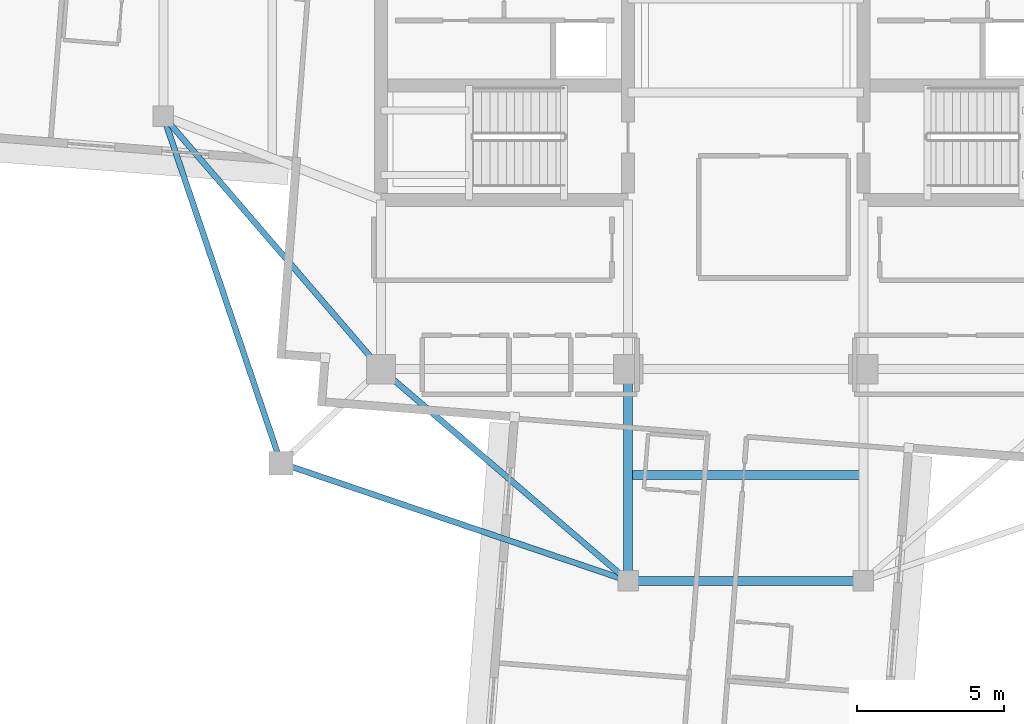
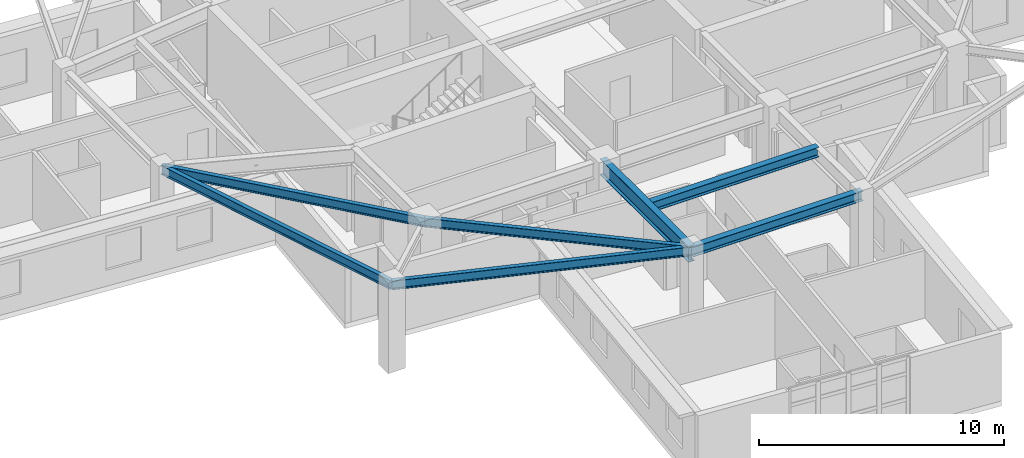
# One storey, part 3 of 23: 7 beams.
"""IFC4 building model written with IfcOpenShell, lengths in metres."""

import ifcopenshell
import ifcopenshell.guid

model = None  # the IFC model being written
_history = None  # IfcOwnerHistory: only IFC2X3 demands one
_inside = {}  # id of a spatial element -> (the spatial element, [elements in it])
_under = {}  # id of a project, library or spatial element -> (it, [spatial elements below it])
_declared = {}  # id of a project -> (the project, [libraries it declares])
_typed = {}  # id of a type object -> (the type object, [elements of that type])
_made_of = {}  # id of a material, layer set ... -> (it, [elements and type objects made of it])


def new_model(schema):
    """Start an empty IFC model of exactly this schema.

    Asked for "IFC4X3", IfcOpenShell would pick the latest addendum, in which some entities
    have other attributes; the version numbers below select the first issue.
    IFC2X3 requires an IfcOwnerHistory on every rooted entity: one is made here for all.
    """
    global model, _history
    if schema == "IFC4X3":
        model = ifcopenshell.file(schema_version=(4, 3, 0, 0))
    else:
        model = ifcopenshell.file(schema=schema)
    _inside.clear()
    _under.clear()
    _declared.clear()
    _typed.clear()
    _made_of.clear()
    _history = None
    if model.schema == "IFC2X3":
        org = make("IfcOrganization", Name="unknown")
        user = make(
            "IfcPersonAndOrganization",
            ThePerson=make("IfcPerson", FamilyName="unknown"),
            TheOrganization=org,
        )
        app = make(
            "IfcApplication",
            ApplicationDeveloper=org,
            Version="unknown",
            ApplicationFullName="unknown",
            ApplicationIdentifier="unknown",
        )
        _history = make(
            "IfcOwnerHistory",
            OwningUser=user,
            OwningApplication=app,
            ChangeAction="ADDED",
            CreationDate=0,
        )
    return model


def make(cls, **values):
    """One entity of the class cls with the attributes given. An attribute that is None is left unset."""
    return model.create_entity(
        cls, **{name: value for name, value in values.items() if value is not None}
    )


def rooted(cls, **values):
    """An entity with a GlobalId (a new one), such as an element, a storey or a relation."""
    return make(cls, GlobalId=ifcopenshell.guid.new(), OwnerHistory=_history, **values)


def si_unit(unit_type, name, prefix=None):
    """IfcSIUnit, for example si_unit("LENGTHUNIT", "METRE", prefix="MILLI")."""
    return make("IfcSIUnit", UnitType=unit_type, Prefix=prefix, Name=name)


def assignment(units):
    """IfcUnitAssignment: the units of a project."""
    return None if units is None else make("IfcUnitAssignment", Units=units)


def point(xyz):
    """IfcCartesianPoint."""
    return None if xyz is None else make("IfcCartesianPoint", Coordinates=xyz)


def direction(xyz):
    """IfcDirection."""
    return None if xyz is None else make("IfcDirection", DirectionRatios=xyz)


def frame(location, z_axis=None, x_axis=None):
    """IfcAxis2Placement3D, a coordinate frame: its origin and axes. An axis left out is left unset."""
    return make(
        "IfcAxis2Placement3D",
        Location=point(location),
        Axis=direction(z_axis),
        RefDirection=direction(x_axis),
    )


def frame_2d(location, x_axis=None):
    """IfcAxis2Placement2D, a coordinate frame in the plane: its origin and x axis."""
    return make(
        "IfcAxis2Placement2D", Location=point(location), RefDirection=direction(x_axis)
    )


def origin():
    """The frame at (0, 0, 0) with its axes left unset."""
    return frame((0.0, 0.0, 0.0))


def origin_2d():
    """The frame at (0, 0) in the plane with its x axis left unset."""
    return frame_2d((0.0, 0.0))


def place(relative_to, where):
    """IfcLocalPlacement: puts the frame where relative to a parent placement (None: the world)."""
    return make(
        "IfcLocalPlacement", PlacementRelTo=relative_to, RelativePlacement=where
    )


def context(
    kind, dimensions, precision=None, world=None, true_north=None, identifier=None
):
    """IfcGeometricRepresentationContext, for example the 3D "Model" context."""
    return make(
        "IfcGeometricRepresentationContext",
        ContextIdentifier=identifier,
        ContextType=kind,
        CoordinateSpaceDimension=dimensions,
        Precision=precision,
        WorldCoordinateSystem=world,
        TrueNorth=true_north,
    )


def subcontext(parent, identifier, kind, view, scale=None):
    """IfcGeometricRepresentationSubContext, for example "Body" below "Model"."""
    return make(
        "IfcGeometricRepresentationSubContext",
        ContextIdentifier=identifier,
        ContextType=kind,
        ParentContext=parent,
        TargetScale=scale,
        TargetView=view,
    )


def project(units=None, contexts=None):
    """IfcProject with its units and contexts."""
    return rooted(
        "IfcProject",
        Name="project",
        RepresentationContexts=contexts,
        UnitsInContext=assignment(units),
    )


def spatial(cls, under=None, at=None, **own):
    """A site, building, storey or space (cls), placed at a placement, below another one or the project."""
    s = rooted(cls, ObjectPlacement=at, **own)
    if under is not None:
        _under.setdefault(under.id(), (under, []))[1].append(s)
    return s


def profile(cls, at=None, kind="AREA", **sizes):
    """A parametric profile (cls). Its sizes go by their IFC names, for example OverallWidth=200.0."""
    return make(cls, ProfileType=kind, Position=at, **sizes)


def i_section(**sizes):
    """IfcIShapeProfileDef."""
    return profile("IfcIShapeProfileDef", **sizes)


def extrude(swept, where, along, depth):
    """IfcExtrudedAreaSolid: the profile swept, set in the frame where, extruded along a direction by depth."""
    return make(
        "IfcExtrudedAreaSolid",
        SweptArea=swept,
        Position=where,
        ExtrudedDirection=direction(along),
        Depth=depth,
    )


def shape(context_of_items, identifier, shape_type, items):
    """IfcShapeRepresentation: the items that make up one representation, for example the "Body"."""
    return make(
        "IfcShapeRepresentation",
        ContextOfItems=context_of_items,
        RepresentationIdentifier=identifier,
        RepresentationType=shape_type,
        Items=items,
    )


def material(Name=None, Category=None):
    """IfcMaterial."""
    return make("IfcMaterial", Name=Name, Category=Category)


def material_profile(
    of_material, cross_section, Name=None, Category=None, Priority=None
):
    """IfcMaterialProfile: a cross section and its material."""
    return make(
        "IfcMaterialProfile",
        Name=Name,
        Material=of_material,
        Profile=cross_section,
        Priority=Priority,
        Category=Category,
    )


def profile_set(profiles, Name=None, composite=None):
    """IfcMaterialProfileSet."""
    return make(
        "IfcMaterialProfileSet",
        Name=Name,
        MaterialProfiles=profiles,
        CompositeProfile=composite,
    )


def made_of(thing, what):
    """Note that an element or type object is made of a material, layer set ...; save() writes the relation."""
    if what is not None:
        _made_of.setdefault(what.id(), (what, []))[1].append(thing)
    return thing


def type_object(cls, material=None, **own):
    """A type object (cls), such as IfcWallType, which elements share."""
    return made_of(rooted(cls, **own), material)


def element(
    cls,
    number,
    at=None,
    inside=None,
    cuts=None,
    type_object=None,
    material=None,
    context=None,
    identifier="Body",
    shape_type=None,
    held_by="IfcProductDefinitionShape",
    body=None,
    shapes=None,
    **own,
):
    """One element of the class cls, such as IfcWall. Its Tag is "e" and its number.

    at: its placement. inside: the storey or other place that contains it. cuts: it is an
    opening in that element (IfcRelVoidsElement). A single representation is given by context,
    identifier, shape_type and body (its items); several are given by shapes. held_by: the class
    of the entity that holds the representations. save() writes the other relations.
    """
    e = rooted(cls, Tag="e%d" % number, ObjectPlacement=at, **own)
    if body is not None:
        shapes = [shape(context, identifier, shape_type, body)]
    if shapes is not None:
        e.Representation = make(held_by, Representations=shapes)
    if inside is not None:
        _inside.setdefault(inside.id(), (inside, []))[1].append(e)
    if cuts is not None:
        rooted(
            "IfcRelVoidsElement", RelatingBuildingElement=cuts, RelatedOpeningElement=e
        )
    if type_object is not None:
        _typed.setdefault(type_object.id(), (type_object, []))[1].append(e)
    return made_of(e, material)


def aggregate(whole, parts):
    """IfcRelAggregates: a whole, such as a stair, and the parts it consists of."""
    return rooted("IfcRelAggregates", RelatingObject=whole, RelatedObjects=parts)


def save(model, path):
    """Write the relations noted so far, then the file.

    IfcRelAggregates (storeys below a building ...), IfcRelContainedInSpatialStructure (elements
    in a storey), IfcRelDefinesByType, IfcRelAssociatesMaterial and IfcRelDeclares: one each for
    every whole, place, type object, material and project.
    """
    for whole, parts in _under.values():
        aggregate(whole, parts)
    for where, things in _inside.values():
        rooted(
            "IfcRelContainedInSpatialStructure",
            RelatedElements=things,
            RelatingStructure=where,
        )
    for kind, things in _typed.values():
        rooted("IfcRelDefinesByType", RelatedObjects=things, RelatingType=kind)
    for what, things in _made_of.values():
        rooted("IfcRelAssociatesMaterial", RelatedObjects=things, RelatingMaterial=what)
    for by, libraries in _declared.values():
        rooted("IfcRelDeclares", RelatingContext=by, RelatedDefinitions=libraries)
    model.write(path)


model = new_model("IFC4")

# Units and contexts
model_context = context("Model", 3, precision=1e-05, world=origin(), true_north=direction((0.0, 1.0)))
body_context = subcontext(model_context, "Body", "Model", "MODEL_VIEW")
ifc_project = project(units=[si_unit("LENGTHUNIT", "METRE"), si_unit("AREAUNIT", "SQUARE_METRE"), si_unit("VOLUMEUNIT", "CUBIC_METRE"), si_unit("PLANEANGLEUNIT", "RADIAN"), si_unit("MASSUNIT", "GRAM", prefix="KILO")], contexts=[model_context])

# Site, building, storey
site_placement = place(None, origin())
site = spatial("IfcSite", under=ifc_project, at=site_placement, CompositionType="ELEMENT")
building_placement = place(site_placement, origin())
building = spatial("IfcBuilding", under=site, at=building_placement, Name="Qingluan Cross Belvedere", CompositionType="ELEMENT")
storey_placement = place(building_placement, frame((0.0, 0.0, 245.39990234375)))
storey = spatial("IfcBuildingStorey", under=building, at=storey_placement, Name="L61", CompositionType="ELEMENT", Elevation=245.39990234375)

# Beams
ifc_material_1 = material(Name="Steel Q420GJB", Category="steel")
ifc_material_profile_1 = material_profile(ifc_material_1, i_section(OverallWidth=0.300048828125, OverallDepth=0.488037109375, WebThickness=0.010986328125, FlangeThickness=0.01806640625, FilletRadius=0.02197265625, at=origin_2d()), Name="HM488x300x11x18")
ifc_profile_set_1 = profile_set([ifc_material_profile_1], Name="Steel Q420GJB")
beam_type_1 = type_object("IfcBeamType", Name="Steel_Beam_HM488x300x11x18", PredefinedType="BEAM", material=ifc_profile_set_1)
for number, where, z_axis, x_axis, name in (
    (1, (-4.0, -19.800048828125, 4.05615234375), (1.0, 0.0, 0.0), (0.0, 1.0, 0.0), "Arm S tie L61"),
    (2, (-4.0, -16.199951171875, 4.05615234375), (1.0, 0.0, 0.0), (0.0, 1.0, 0.0), "Arm S beam L61"),
):
    element("IfcBeam", number, at=place(storey_placement, frame(where, z_axis=z_axis, x_axis=x_axis)), inside=storey, type_object=beam_type_1, Name=name, PredefinedType="BEAM", context=body_context, shape_type="SweptSolid", body=[
        extrude(i_section(OverallWidth=0.300048828125, OverallDepth=0.488037109375, WebThickness=0.010986328125, FlangeThickness=0.01806640625, FilletRadius=0.02197265625, at=origin_2d()), origin(), (0.0, 0.0, 1.0), 8.0),
    ])
ifc_material_2 = material(Name="Steel Q420GJB", Category="steel")
ifc_material_profile_2 = material_profile(ifc_material_2, i_section(OverallWidth=0.199951171875, OverallDepth=0.449951171875, WebThickness=0.009033203125, FlangeThickness=0.013916015625, FilletRadius=0.01611328125, at=origin_2d()), Name="HN450x200x9x14")
ifc_profile_set_2 = profile_set([ifc_material_profile_2], Name="Steel Q420GJB")
beam_type_2 = type_object("IfcBeamType", Name="Steel_Beam_HN450x200x9x14", PredefinedType="JOIST", material=ifc_profile_set_2)
for number, where, z_axis, x_axis, name in (
    (3, (-15.800048828125, -15.800048828125, 4.0751953125), (0.947066283324, -0.321038089628, 0.0), (0.321038089628, 0.947066283324, 0.0), "Corner beam 2 L61-RSW"),
    (4, (-15.800048828125, -15.800048828125, 4.0751953125), (-0.321038089628, 0.947066283324, 0.0), (-0.947066283324, -0.321038089628, 0.0), "Corner beam 3 L61-RSW"),
):
    element("IfcBeam", number, at=place(storey_placement, frame(where, z_axis=z_axis, x_axis=x_axis)), inside=storey, type_object=beam_type_2, Name=name, PredefinedType="JOIST", context=body_context, shape_type="SweptSolid", body=[
        extrude(i_section(OverallWidth=0.199951171875, OverallDepth=0.449951171875, WebThickness=0.009033203125, FlangeThickness=0.013916015625, FilletRadius=0.01611328125, at=origin_2d()), origin(), (0.0, 0.0, 1.0), 12.45947265625),
    ])
beam_1_placement = place(storey_placement, frame((-12.39990234375, -12.60009765625, 4.0751953125), z_axis=(-0.652245077546, 0.75800815221, 0.0), x_axis=(-0.75800815221, -0.652245077546, 0.0)))
element("IfcBeam", 5, at=beam_1_placement, inside=storey, type_object=beam_type_2, Name="Corner beam 4 L61-RSW", PredefinedType="JOIST", context=body_context, shape_type="SweptSolid", body=[
    extrude(i_section(OverallWidth=0.199951171875, OverallDepth=0.449951171875, WebThickness=0.009033203125, FlangeThickness=0.013916015625, FilletRadius=0.01611328125, at=origin_2d()), origin(), (0.0, 0.0, 1.0), 11.345703125),
])
beam_2_placement = place(storey_placement, frame((-12.39990234375, -12.60009765625, 4.0751953125), z_axis=(0.759255044656, -0.650793190779, 0.0), x_axis=(0.650793190779, 0.759255044656, 0.0)))
element("IfcBeam", 6, at=beam_2_placement, inside=storey, type_object=beam_type_2, Name="Corner beam 5 L61-RSW", PredefinedType="JOIST", context=body_context, shape_type="SweptSolid", body=[
    extrude(i_section(OverallWidth=0.199951171875, OverallDepth=0.449951171875, WebThickness=0.009033203125, FlangeThickness=0.013916015625, FilletRadius=0.01611328125, at=origin_2d()), origin(), (0.0, 0.0, 1.0), 11.063232421875),
])
ifc_material_3 = material(Name="Steel Q420GJB", Category="steel")
ifc_material_profile_3 = material_profile(ifc_material_3, i_section(OverallWidth=0.300048828125, OverallDepth=0.800048828125, WebThickness=0.015380859375, FlangeThickness=0.028076171875, FilletRadius=0.030029296875, at=origin_2d()), Name="HEB800")
ifc_profile_set_3 = profile_set([ifc_material_profile_3], Name="Steel Q420GJB")
beam_type_3 = type_object("IfcBeamType", Name="Steel_Girder_HEB800", PredefinedType="USERDEFINED", material=ifc_profile_set_3)
beam_3_placement = place(storey_placement, frame((-4.0, -12.60009765625, 3.900146484375), z_axis=(0.0, -1.0, 0.0), x_axis=(1.0, 0.0, 0.0)))
element("IfcBeam", 7, at=beam_3_placement, inside=storey, type_object=beam_type_3, Name="Arm S radial girder A L61", ObjectType="GIRDER", PredefinedType="USERDEFINED", context=body_context, shape_type="SweptSolid", body=[
    extrude(i_section(OverallWidth=0.300048828125, OverallDepth=0.800048828125, WebThickness=0.015380859375, FlangeThickness=0.028076171875, FilletRadius=0.030029296875, at=origin_2d()), origin(), (0.0, 0.0, 1.0), 7.199951171875),
])

save(model, "model.ifc")
